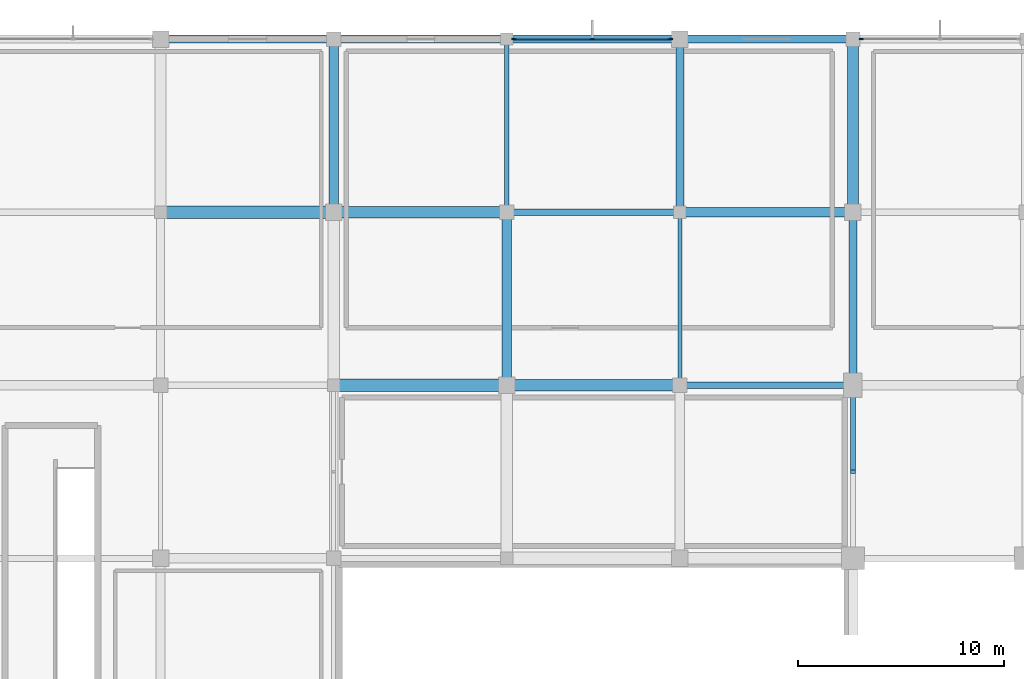
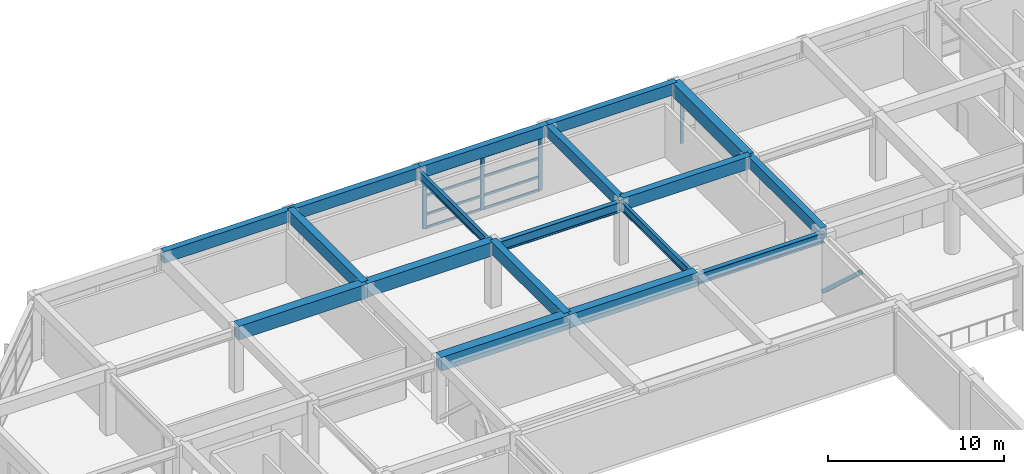
# One storey, part 22 of 56: 18 beams, 13 members, 2 elements without a shape of their own.
"""IFC4 building model written with IfcOpenShell, lengths in metres."""

from ifc_helpers import new_model, si_unit, direction, frame, origin, origin_2d, place, context, subcontext, project, spatial, rectangle, hollow_rectangle, i_section, extrude, material, material_profile, profile_set, type_object, element, aggregate, save


model = new_model("IFC4")

# Units and contexts
model_context = context("Model", 3, precision=1e-05, world=origin(), true_north=direction((0.0, 1.0)))
body_context = subcontext(model_context, "Body", "Model", "MODEL_VIEW")
ifc_project = project(units=[si_unit("LENGTHUNIT", "METRE"), si_unit("AREAUNIT", "SQUARE_METRE"), si_unit("VOLUMEUNIT", "CUBIC_METRE"), si_unit("PLANEANGLEUNIT", "RADIAN"), si_unit("MASSUNIT", "GRAM", prefix="KILO")], contexts=[model_context])

# Site, building, storey
site_placement = place(None, origin())
site = spatial("IfcSite", under=ifc_project, at=site_placement, CompositionType="ELEMENT")
building_placement = place(site_placement, origin())
building = spatial("IfcBuilding", under=site, at=building_placement, Name="Xuanlan Plaza Opera House", CompositionType="ELEMENT")
storey_placement = place(building_placement, frame((0.0, 0.0, 18.89990234375)))
storey = spatial("IfcBuildingStorey", under=building, at=storey_placement, Name="L04", CompositionType="ELEMENT", Elevation=18.89990234375)

# Curtain wall, member
ifc_material_1 = material(Name="Anodised Aluminium 6063-T6 and Low-E Glass", Category="aluminium")
curtain_wall_type_1 = type_object("IfcCurtainWallType", Name="ENV-CW-CW-06", PredefinedType="USERDEFINED", material=ifc_material_1)
curtain_wall_1_placement = place(storey_placement, origin())
curtain_wall_1 = element("IfcCurtainWall", 1, at=curtain_wall_1_placement, inside=storey, type_object=curtain_wall_type_1, Name="Acoustic Glazed Wall L04-037", ObjectType="ACOUSTIC GLAZED WALL", PredefinedType="USERDEFINED")
ifc_material_2 = material(Name="Anodised Aluminium 6063-T6", Category="aluminium")
ifc_material_profile_1 = material_profile(ifc_material_2, rectangle(XDim=0.074951171875, YDim=0.199951171875, at=origin_2d()), Name="ALU-M 75x200")
ifc_profile_set_1 = profile_set([ifc_material_profile_1], Name="Anodised Aluminium 6063-T6")
member_type_1 = type_object("IfcMemberType", Name="ENV-CWM-03", PredefinedType="MULLION", material=ifc_profile_set_1)
member_1_placement = place(storey_placement, frame((67.607421875, 100.800048828125, 0.0), z_axis=(0.0, 0.0, 1.0), x_axis=(0.0, -1.0, 0.0)))
member_1 = element("IfcMember", 2, at=member_1_placement, type_object=member_type_1, Name="CW-06 mullion 3", PredefinedType="MULLION", context=body_context, shape_type="SweptSolid", body=[
    extrude(rectangle(XDim=0.074951171875, YDim=0.199951171875, at=origin_2d()), origin(), (0.0, 0.0, 1.0), 3.68017578125),
])
aggregate(curtain_wall_1, [member_1])

# Curtain wall, members
curtain_wall_type_2 = type_object("IfcCurtainWallType", Name="ENV-CW-CW-01", PredefinedType="USERDEFINED", material=ifc_material_1)
curtain_wall_2_placement = place(storey_placement, origin())
curtain_wall_2 = element("IfcCurtainWall", 3, at=curtain_wall_2_placement, inside=storey, type_object=curtain_wall_type_2, Name="Unitised Curtain Wall L04-039", ObjectType="UNITISED CURTAIN WALL", PredefinedType="USERDEFINED")
ifc_material_profile_2 = material_profile(ifc_material_2, rectangle(XDim=0.090087890625, YDim=0.25, at=origin_2d()), Name="ALU-M 90x250")
ifc_profile_set_2 = profile_set([ifc_material_profile_2], Name="Anodised Aluminium 6063-T6")
member_type_2 = type_object("IfcMemberType", Name="ENV-CWM-05", PredefinedType="MULLION", material=ifc_profile_set_2)
member_2_placement = place(storey_placement, frame((58.3349609375, 100.800048828125, 0.0), z_axis=(0.0, 0.0, 1.0), x_axis=(0.0, -1.0, 0.0)))
member_2 = element("IfcMember", 4, at=member_2_placement, type_object=member_type_2, Name="CW-01 mullion 1", PredefinedType="MULLION", context=body_context, shape_type="SweptSolid", body=[
    extrude(rectangle(XDim=0.090087890625, YDim=0.25, at=origin_2d()), origin(), (0.0, 0.0, 1.0), 3.68017578125),
])
member_3_placement = place(storey_placement, frame((54.550048828125, 100.800048828125, 0.0), z_axis=(0.0, 0.0, 1.0), x_axis=(0.0, -1.0, 0.0)))
member_3 = element("IfcMember", 5, at=member_3_placement, type_object=member_type_2, Name="CW-01 mullion 2", PredefinedType="MULLION", context=body_context, shape_type="SweptSolid", body=[
    extrude(rectangle(XDim=0.090087890625, YDim=0.25, at=origin_2d()), origin(), (0.0, 0.0, 1.0), 3.68017578125),
])
member_4_placement = place(storey_placement, frame((50.764892578125, 100.800048828125, 0.0), z_axis=(0.0, 0.0, 1.0), x_axis=(0.0, -1.0, 0.0)))
member_4 = element("IfcMember", 6, at=member_4_placement, type_object=member_type_2, Name="CW-01 mullion 3", PredefinedType="MULLION", context=body_context, shape_type="SweptSolid", body=[
    extrude(rectangle(XDim=0.090087890625, YDim=0.25, at=origin_2d()), origin(), (0.0, 0.0, 1.0), 3.68017578125),
])
ifc_material_profile_3 = material_profile(ifc_material_2, rectangle(XDim=0.080078125, YDim=0.1650390625, at=origin_2d()), Name="ALU-T 80x165")
ifc_profile_set_3 = profile_set([ifc_material_profile_3], Name="Anodised Aluminium 6063-T6")
member_type_3 = type_object("IfcMemberType", Name="ENV-CWT-04", PredefinedType="USERDEFINED", material=ifc_profile_set_3)
member_5_placement = place(storey_placement, frame((58.2900390625, 100.800048828125, 0.0400390625), z_axis=(-1.0, 0.0, 0.0), x_axis=(0.0, -1.0, 0.0)))
member_5 = element("IfcMember", 7, at=member_5_placement, type_object=member_type_3, Name="CW-01 transom 1.1", ObjectType="TRANSOM", PredefinedType="USERDEFINED", context=body_context, shape_type="SweptSolid", body=[
    extrude(rectangle(XDim=0.080078125, YDim=0.1650390625, at=origin_2d()), origin(), (0.0, 0.0, 1.0), 3.695068359375),
])
member_6_placement = place(storey_placement, frame((58.2900390625, 100.800048828125, 0.9501953125), z_axis=(-1.0, 0.0, 0.0), x_axis=(0.0, -1.0, 0.0)))
member_6 = element("IfcMember", 8, at=member_6_placement, type_object=member_type_3, Name="CW-01 transom 1.2", ObjectType="TRANSOM", PredefinedType="USERDEFINED", context=body_context, shape_type="SweptSolid", body=[
    extrude(rectangle(XDim=0.080078125, YDim=0.1650390625, at=origin_2d()), origin(), (0.0, 0.0, 1.0), 3.695068359375),
])
member_7_placement = place(storey_placement, frame((58.2900390625, 100.800048828125, 2.25), z_axis=(-1.0, 0.0, 0.0), x_axis=(0.0, -1.0, 0.0)))
member_7 = element("IfcMember", 9, at=member_7_placement, type_object=member_type_3, Name="CW-01 transom 1.3", ObjectType="TRANSOM", PredefinedType="USERDEFINED", context=body_context, shape_type="SweptSolid", body=[
    extrude(rectangle(XDim=0.080078125, YDim=0.1650390625, at=origin_2d()), origin(), (0.0, 0.0, 1.0), 3.695068359375),
])
member_8_placement = place(storey_placement, frame((58.2900390625, 100.800048828125, 3.64013671875), z_axis=(-1.0, 0.0, 0.0), x_axis=(0.0, -1.0, 0.0)))
member_8 = element("IfcMember", 10, at=member_8_placement, type_object=member_type_3, Name="CW-01 transom 1.4", ObjectType="TRANSOM", PredefinedType="USERDEFINED", context=body_context, shape_type="SweptSolid", body=[
    extrude(rectangle(XDim=0.080078125, YDim=0.1650390625, at=origin_2d()), origin(), (0.0, 0.0, 1.0), 3.695068359375),
])
member_9_placement = place(storey_placement, frame((54.5048828125, 100.800048828125, 0.0400390625), z_axis=(-1.0, 0.0, 0.0), x_axis=(0.0, -1.0, 0.0)))
member_9 = element("IfcMember", 11, at=member_9_placement, type_object=member_type_3, Name="CW-01 transom 2.1", ObjectType="TRANSOM", PredefinedType="USERDEFINED", context=body_context, shape_type="SweptSolid", body=[
    extrude(rectangle(XDim=0.080078125, YDim=0.1650390625, at=origin_2d()), origin(), (0.0, 0.0, 1.0), 3.69482421875),
])
member_10_placement = place(storey_placement, frame((54.5048828125, 100.800048828125, 0.9501953125), z_axis=(-1.0, 0.0, 0.0), x_axis=(0.0, -1.0, 0.0)))
member_10 = element("IfcMember", 12, at=member_10_placement, type_object=member_type_3, Name="CW-01 transom 2.2", ObjectType="TRANSOM", PredefinedType="USERDEFINED", context=body_context, shape_type="SweptSolid", body=[
    extrude(rectangle(XDim=0.080078125, YDim=0.1650390625, at=origin_2d()), origin(), (0.0, 0.0, 1.0), 3.69482421875),
])
member_11_placement = place(storey_placement, frame((54.5048828125, 100.800048828125, 2.25), z_axis=(-1.0, 0.0, 0.0), x_axis=(0.0, -1.0, 0.0)))
member_11 = element("IfcMember", 13, at=member_11_placement, type_object=member_type_3, Name="CW-01 transom 2.3", ObjectType="TRANSOM", PredefinedType="USERDEFINED", context=body_context, shape_type="SweptSolid", body=[
    extrude(rectangle(XDim=0.080078125, YDim=0.1650390625, at=origin_2d()), origin(), (0.0, 0.0, 1.0), 3.69482421875),
])
member_12_placement = place(storey_placement, frame((54.5048828125, 100.800048828125, 3.64013671875), z_axis=(-1.0, 0.0, 0.0), x_axis=(0.0, -1.0, 0.0)))
member_12 = element("IfcMember", 14, at=member_12_placement, type_object=member_type_3, Name="CW-01 transom 2.4", ObjectType="TRANSOM", PredefinedType="USERDEFINED", context=body_context, shape_type="SweptSolid", body=[
    extrude(rectangle(XDim=0.080078125, YDim=0.1650390625, at=origin_2d()), origin(), (0.0, 0.0, 1.0), 3.69482421875),
])
aggregate(curtain_wall_2, [member_2, member_3, member_4, member_5, member_6, member_7, member_8, member_9, member_10, member_11, member_12])

# Beams
ifc_material_3 = material(Name="Concrete C50", Category="concrete")
ifc_material_profile_4 = material_profile(ifc_material_3, rectangle(XDim=0.60009765625, YDim=0.949951171875, at=origin_2d()), Name="RC-BM 600x950")
ifc_profile_set_4 = profile_set([ifc_material_profile_4], Name="Concrete C50")
beam_type_1 = type_object("IfcBeamType", Name="STR-BM-B-01", PredefinedType="BEAM", material=ifc_profile_set_4)
for number, where, z_axis, x_axis, name in (
    (15, (42.0, 84.0, 4.025146484375), (1.0, 0.0, 0.0), (0.0, 1.0, 0.0), "Grid Beam X L04 6-7/K"),
    (16, (33.60009765625, 92.39990234375, 4.025146484375), (1.0, 0.0, 0.0), (0.0, 1.0, 0.0), "Grid Beam X L04 5-6/L"),
):
    element("IfcBeam", number, at=place(storey_placement, frame(where, z_axis=z_axis, x_axis=x_axis)), inside=storey, type_object=beam_type_1, Name=name, PredefinedType="BEAM", context=body_context, shape_type="SweptSolid", body=[
        extrude(rectangle(XDim=0.60009765625, YDim=0.949951171875, at=origin_2d()), origin(), (0.0, 0.0, 1.0), 8.39990234375),
    ])
ifc_material_profile_5 = material_profile(ifc_material_3, rectangle(XDim=0.550048828125, YDim=0.949951171875, at=origin_2d()), Name="RC-BM 550x950")
ifc_profile_set_5 = profile_set([ifc_material_profile_5], Name="Concrete C50")
beam_type_2 = type_object("IfcBeamType", Name="STR-BM-B-02", PredefinedType="BEAM", material=ifc_profile_set_5)
beam_1_placement = place(storey_placement, frame((50.39990234375, 84.0, 4.025146484375), z_axis=(1.0, 0.0, 0.0), x_axis=(0.0, 1.0, 0.0)))
element("IfcBeam", 17, at=beam_1_placement, inside=storey, type_object=beam_type_2, Name="Grid Beam X L04 7-8/K", PredefinedType="BEAM", context=body_context, shape_type="SweptSolid", body=[
    extrude(rectangle(XDim=0.550048828125, YDim=0.949951171875, at=origin_2d()), origin(), (0.0, 0.0, 1.0), 8.400146484375),
])
beam_2_placement = place(storey_placement, frame((42.0, 92.39990234375, 4.025146484375), z_axis=(1.0, 0.0, 0.0), x_axis=(0.0, 1.0, 0.0)))
element("IfcBeam", 18, at=beam_2_placement, inside=storey, type_object=beam_type_2, Name="Grid Beam X L04 6-7/L", PredefinedType="BEAM", context=body_context, shape_type="SweptSolid", body=[
    extrude(rectangle(XDim=0.550048828125, YDim=0.949951171875, at=origin_2d()), origin(), (0.0, 0.0, 1.0), 8.39990234375),
])
beam_3_placement = place(storey_placement, frame((67.199951171875, 92.39990234375, 4.025146484375), z_axis=(0.0, 1.0, 0.0), x_axis=(-1.0, 0.0, 0.0)))
element("IfcBeam", 19, at=beam_3_placement, inside=storey, type_object=beam_type_2, Name="Grid Beam Y L04 9/L-M", PredefinedType="BEAM", context=body_context, shape_type="SweptSolid", body=[
    extrude(rectangle(XDim=0.550048828125, YDim=0.949951171875, at=origin_2d()), origin(), (0.0, 0.0, 1.0), 8.400146484375),
])
ifc_material_4 = material(Name="Concrete C40", Category="concrete")
ifc_material_profile_6 = material_profile(ifc_material_4, rectangle(XDim=0.449951171875, YDim=0.85009765625, at=origin_2d()), Name="RC-BM 450x850")
ifc_profile_set_6 = profile_set([ifc_material_profile_6], Name="Concrete C40")
beam_type_3 = type_object("IfcBeamType", Name="STR-BM-B-04", PredefinedType="BEAM", material=ifc_profile_set_6)
beam_4_placement = place(storey_placement, frame((58.800048828125, 92.39990234375, 4.0751953125), z_axis=(1.0, 0.0, 0.0), x_axis=(0.0, 1.0, 0.0)))
element("IfcBeam", 20, at=beam_4_placement, inside=storey, type_object=beam_type_3, Name="Grid Beam X L04 8-9/L", PredefinedType="BEAM", context=body_context, shape_type="SweptSolid", body=[
    extrude(rectangle(XDim=0.449951171875, YDim=0.85009765625, at=origin_2d()), origin(), (0.0, 0.0, 1.0), 8.39990234375),
])
beam_5_placement = place(storey_placement, frame((42.0, 92.39990234375, 4.0751953125), z_axis=(0.0, 1.0, 0.0), x_axis=(-1.0, 0.0, 0.0)))
element("IfcBeam", 21, at=beam_5_placement, inside=storey, type_object=beam_type_3, Name="Grid Beam Y L04 6/L-M", PredefinedType="BEAM", context=body_context, shape_type="SweptSolid", body=[
    extrude(rectangle(XDim=0.449951171875, YDim=0.85009765625, at=origin_2d()), origin(), (0.0, 0.0, 1.0), 8.400146484375),
])
beam_6_placement = place(storey_placement, frame((50.39990234375, 84.0, 4.0751953125), z_axis=(0.0, 1.0, 0.0), x_axis=(-1.0, 0.0, 0.0)))
element("IfcBeam", 22, at=beam_6_placement, inside=storey, type_object=beam_type_3, Name="Grid Beam Y L04 7/K-L", PredefinedType="BEAM", context=body_context, shape_type="SweptSolid", body=[
    extrude(rectangle(XDim=0.449951171875, YDim=0.85009765625, at=origin_2d()), origin(), (0.0, 0.0, 1.0), 8.39990234375),
])
ifc_material_profile_7 = material_profile(ifc_material_4, rectangle(XDim=0.39990234375, YDim=0.75, at=origin_2d()), Name="RC-BM 400x750")
ifc_profile_set_7 = profile_set([ifc_material_profile_7], Name="Concrete C40")
beam_type_4 = type_object("IfcBeamType", Name="STR-BM-B-06", PredefinedType="BEAM", material=ifc_profile_set_7)
beam_7_placement = place(storey_placement, frame((58.800048828125, 92.39990234375, 4.125), z_axis=(0.0, 1.0, 0.0), x_axis=(-1.0, 0.0, 0.0)))
element("IfcBeam", 23, at=beam_7_placement, inside=storey, type_object=beam_type_4, Name="Grid Beam Y L04 8/L-M", PredefinedType="BEAM", context=body_context, shape_type="SweptSolid", body=[
    extrude(rectangle(XDim=0.39990234375, YDim=0.75, at=origin_2d()), origin(), (0.0, 0.0, 1.0), 8.400146484375),
])
beam_8_placement = place(storey_placement, frame((67.199951171875, 84.0, 4.125), z_axis=(0.0, 1.0, 0.0), x_axis=(-1.0, 0.0, 0.0)))
element("IfcBeam", 24, at=beam_8_placement, inside=storey, type_object=beam_type_4, Name="Grid Beam Y L04 9/K-L", PredefinedType="BEAM", context=body_context, shape_type="SweptSolid", body=[
    extrude(rectangle(XDim=0.39990234375, YDim=0.75, at=origin_2d()), origin(), (0.0, 0.0, 1.0), 8.39990234375),
])
ifc_material_5 = material(Name="Steel Q355B", Category="steel")
ifc_material_profile_8 = material_profile(ifc_material_5, i_section(OverallWidth=0.300048828125, OverallDepth=0.699951171875, WebThickness=0.012939453125, FlangeThickness=0.02392578125, FilletRadius=0.02392578125, at=origin_2d()), Name="HN 700x300x13x24")
ifc_profile_set_8 = profile_set([ifc_material_profile_8], Name="Steel Q355B")
beam_type_5 = type_object("IfcBeamType", Name="STR-BM-SB-03", PredefinedType="BEAM", material=ifc_profile_set_8)
beam_9_placement = place(storey_placement, frame((58.800048828125, 84.0, 3.885009765625), z_axis=(1.0, 0.0, 0.0), x_axis=(0.0, 1.0, 0.0)))
element("IfcBeam", 25, at=beam_9_placement, inside=storey, type_object=beam_type_5, Name="Grid Beam X L04 8-9/K", PredefinedType="BEAM", context=body_context, shape_type="SweptSolid", body=[
    extrude(i_section(OverallWidth=0.300048828125, OverallDepth=0.699951171875, WebThickness=0.012939453125, FlangeThickness=0.02392578125, FilletRadius=0.02392578125, at=origin_2d()), origin(), (0.0, 0.0, 1.0), 8.39990234375),
])
beam_10_placement = place(storey_placement, frame((50.39990234375, 92.39990234375, 3.885009765625), z_axis=(1.0, 0.0, 0.0), x_axis=(0.0, 1.0, 0.0)))
element("IfcBeam", 26, at=beam_10_placement, inside=storey, type_object=beam_type_5, Name="Grid Beam X L04 7-8/L", PredefinedType="BEAM", context=body_context, shape_type="SweptSolid", body=[
    extrude(i_section(OverallWidth=0.300048828125, OverallDepth=0.699951171875, WebThickness=0.012939453125, FlangeThickness=0.02392578125, FilletRadius=0.02392578125, at=origin_2d()), origin(), (0.0, 0.0, 1.0), 8.400146484375),
])
ifc_material_profile_9 = material_profile(ifc_material_5, i_section(OverallWidth=0.199951171875, OverallDepth=0.60009765625, WebThickness=0.010986328125, FlangeThickness=0.01708984375, FilletRadius=0.02197265625, at=origin_2d()), Name="HN 600x200x11x17")
ifc_profile_set_9 = profile_set([ifc_material_profile_9], Name="Steel Q355B")
beam_type_6 = type_object("IfcBeamType", Name="STR-BM-SB-04", PredefinedType="BEAM", material=ifc_profile_set_9)
beam_11_placement = place(storey_placement, frame((50.39990234375, 92.39990234375, 3.93505859375), z_axis=(0.0, 1.0, 0.0), x_axis=(-1.0, 0.0, 0.0)))
element("IfcBeam", 27, at=beam_11_placement, inside=storey, type_object=beam_type_6, Name="Grid Beam Y L04 7/L-M", PredefinedType="BEAM", context=body_context, shape_type="SweptSolid", body=[
    extrude(i_section(OverallWidth=0.199951171875, OverallDepth=0.60009765625, WebThickness=0.010986328125, FlangeThickness=0.01708984375, FilletRadius=0.02197265625, at=origin_2d()), origin(), (0.0, 0.0, 1.0), 8.400146484375),
])
beam_12_placement = place(storey_placement, frame((58.800048828125, 84.0, 3.93505859375), z_axis=(0.0, 1.0, 0.0), x_axis=(-1.0, 0.0, 0.0)))
element("IfcBeam", 28, at=beam_12_placement, inside=storey, type_object=beam_type_6, Name="Grid Beam Y L04 8/K-L", PredefinedType="BEAM", context=body_context, shape_type="SweptSolid", body=[
    extrude(i_section(OverallWidth=0.199951171875, OverallDepth=0.60009765625, WebThickness=0.010986328125, FlangeThickness=0.01708984375, FilletRadius=0.02197265625, at=origin_2d()), origin(), (0.0, 0.0, 1.0), 8.39990234375),
])
ifc_material_profile_10 = material_profile(ifc_material_4, rectangle(XDim=0.39990234375, YDim=0.800048828125, at=origin_2d()), Name="RC-SPD 400x800")
ifc_profile_set_10 = profile_set([ifc_material_profile_10], Name="Concrete C40")
beam_type_7 = type_object("IfcBeamType", Name="STR-BM-SP-01", PredefinedType="SPANDREL", material=ifc_profile_set_10)
for number, where, z_axis, x_axis, name in (
    (29, (33.60009765625, 100.800048828125, 4.10009765625), (1.0, 0.0, 0.0), (0.0, 1.0, 0.0), "Grid Beam X L04 5-6/M"),
    (30, (42.0, 100.800048828125, 4.10009765625), (1.0, 0.0, 0.0), (0.0, 1.0, 0.0), "Grid Beam X L04 6-7/M"),
):
    element("IfcBeam", number, at=place(storey_placement, frame(where, z_axis=z_axis, x_axis=x_axis)), inside=storey, type_object=beam_type_7, Name=name, PredefinedType="SPANDREL", context=body_context, shape_type="SweptSolid", body=[
        extrude(rectangle(XDim=0.39990234375, YDim=0.800048828125, at=origin_2d()), origin(), (0.0, 0.0, 1.0), 8.39990234375),
    ])
beam_13_placement = place(storey_placement, frame((50.39990234375, 100.800048828125, 4.10009765625), z_axis=(1.0, 0.0, 0.0), x_axis=(0.0, 1.0, 0.0)))
element("IfcBeam", 31, at=beam_13_placement, inside=storey, type_object=beam_type_7, Name="Grid Beam X L04 7-8/M", PredefinedType="SPANDREL", context=body_context, shape_type="SweptSolid", body=[
    extrude(rectangle(XDim=0.39990234375, YDim=0.800048828125, at=origin_2d()), origin(), (0.0, 0.0, 1.0), 8.400146484375),
])
beam_14_placement = place(storey_placement, frame((58.800048828125, 100.800048828125, 4.10009765625), z_axis=(1.0, 0.0, 0.0), x_axis=(0.0, 1.0, 0.0)))
element("IfcBeam", 32, at=beam_14_placement, inside=storey, type_object=beam_type_7, Name="Grid Beam X L04 8-9/M", PredefinedType="SPANDREL", context=body_context, shape_type="SweptSolid", body=[
    extrude(rectangle(XDim=0.39990234375, YDim=0.800048828125, at=origin_2d()), origin(), (0.0, 0.0, 1.0), 8.39990234375),
])

# Member
ifc_material_profile_11 = material_profile(ifc_material_5, hollow_rectangle(XDim=0.25, YDim=0.25, WallThickness=0.011962890625, at=origin_2d()), Name="SHS 250x250x12")
ifc_profile_set_11 = profile_set([ifc_material_profile_11], Name="Steel Q355B")
member_type_4 = type_object("IfcMemberType", Name="STR-MEM-BR-06", PredefinedType="BRACE", material=ifc_profile_set_11)
member_13_placement = place(storey_placement, frame((67.199951171875, 84.0, 0.10009765625), z_axis=(0.0, -0.737141689437, 0.675738210918), x_axis=(1.0, 0.0, 0.0)))
element("IfcMember", 33, at=member_13_placement, inside=storey, type_object=member_type_4, Name="Stage Lateral Chevron Brace L04-3B", PredefinedType="BRACE", context=body_context, shape_type="SweptSolid", body=[
    extrude(hollow_rectangle(XDim=0.25, YDim=0.25, WallThickness=0.011962890625, at=origin_2d()), origin(), (0.0, 0.0, 1.0), 5.697509765625),
])

save(model, "model.ifc")
